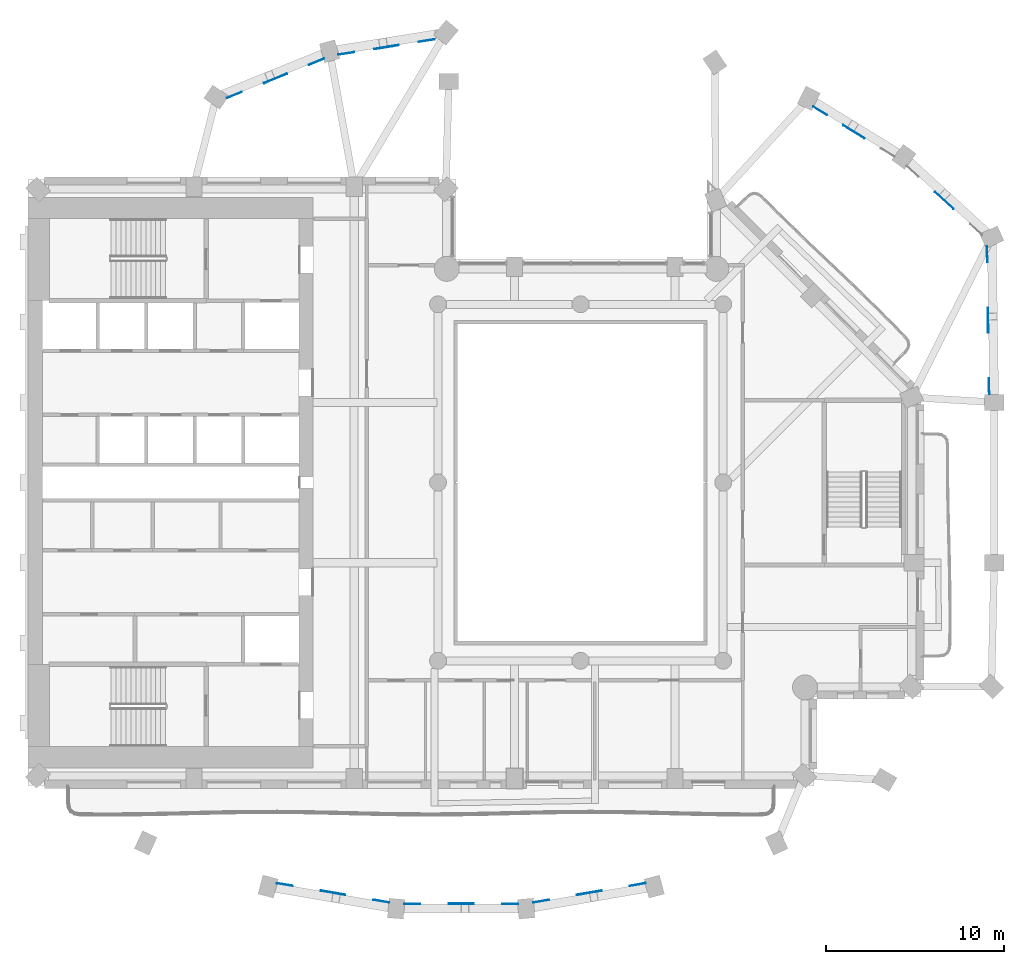
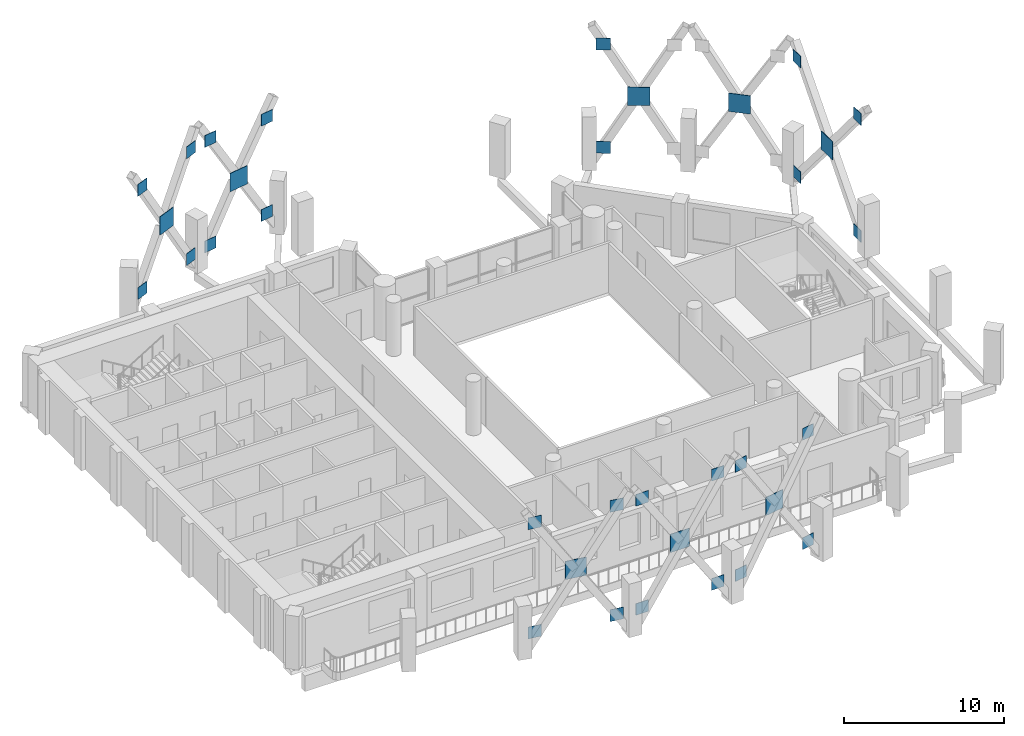
# One storey, part 7 of 15: 34 discrete accessories.
"""IFC4 building model written with IfcOpenShell, lengths in metres."""

from ifc_helpers import new_model, si_unit, direction, frame, origin, origin_2d, place, context, subcontext, project, spatial, rectangle, extrude, material, material_profile, profile_set, type_object, element, save


model = new_model("IFC4")

# Units and contexts
model_context = context("Model", 3, precision=1e-05, world=origin(), true_north=direction((0.0, 1.0)))
body_context = subcontext(model_context, "Body", "Model", "MODEL_VIEW")
ifc_project = project(units=[si_unit("LENGTHUNIT", "METRE"), si_unit("AREAUNIT", "SQUARE_METRE"), si_unit("VOLUMEUNIT", "CUBIC_METRE"), si_unit("PLANEANGLEUNIT", "RADIAN"), si_unit("MASSUNIT", "GRAM", prefix="KILO")], contexts=[model_context])

# Site, building, storey
site_placement = place(None, origin())
site = spatial("IfcSite", under=ifc_project, at=site_placement, CompositionType="ELEMENT")
building_placement = place(site_placement, origin())
building = spatial("IfcBuilding", under=site, at=building_placement, Name="Cypress Arch Tower", CompositionType="ELEMENT")
storey_placement = place(building_placement, frame((0.0, 0.0, 193.300048828125)))
storey = spatial("IfcBuildingStorey", under=building, at=storey_placement, Name="L42", CompositionType="ELEMENT", Elevation=193.300048828125)

# Discrete accessories
ifc_material_1 = material(Name="Steel ASTM A992", Category="steel")
ifc_material_profile_1 = material_profile(ifc_material_1, rectangle(XDim=0.89990234375, YDim=0.89990234375, at=origin_2d()), Name="PL 30 900x900")
ifc_profile_set_1 = profile_set([ifc_material_profile_1], Name="Steel ASTM A992")
discrete_accessory_type_1 = type_object("IfcDiscreteAccessoryType", Name="Gusset plate 900x900x30 Steel ASTM A992", PredefinedType="ANCHORPLATE", material=ifc_profile_set_1)
discrete_accessory_1_placement = place(storey_placement, frame((-7.630859375, 24.806396484375, 1.907470703125), z_axis=(0.15512400912, -0.987895005451, 0.0), x_axis=(0.987895005451, 0.15512400912, 0.0)))
element("IfcDiscreteAccessory", 1, at=discrete_accessory_1_placement, inside=storey, type_object=discrete_accessory_type_1, Name="Gusset plate L42 CQ02-CQ03u0", PredefinedType="ANCHORPLATE", context=body_context, shape_type="SweptSolid", body=[
    extrude(rectangle(XDim=0.89990234375, YDim=0.89990234375, at=origin_2d()), origin(), (0.0, 0.0, 1.0), 0.02978515625),
])
discrete_accessory_2_placement = place(storey_placement, frame((-12.149658203125, 24.0849609375, 9.585205078125), z_axis=(0.153882731479, -0.98808911792, 0.0), x_axis=(0.98808911792, 0.153882731479, 0.0)))
element("IfcDiscreteAccessory", 2, at=discrete_accessory_2_placement, inside=storey, type_object=discrete_accessory_type_1, Name="Gusset plate L42 CQ02-CQ03u1", PredefinedType="ANCHORPLATE", context=body_context, shape_type="SweptSolid", body=[
    extrude(rectangle(XDim=0.89990234375, YDim=0.89990234375, at=origin_2d()), origin(), (0.0, 0.0, 1.0), 0.030029296875),
])
discrete_accessory_3_placement = place(storey_placement, frame((-7.630859375, 24.806396484375, 9.1923828125), z_axis=(0.15512400912, -0.987895005451, 0.0), x_axis=(0.987895005451, 0.15512400912, 0.0)))
element("IfcDiscreteAccessory", 3, at=discrete_accessory_3_placement, inside=storey, type_object=discrete_accessory_type_1, Name="Gusset plate L42 CQ02-CQ03d0", PredefinedType="ANCHORPLATE", context=body_context, shape_type="SweptSolid", body=[
    extrude(rectangle(XDim=0.89990234375, YDim=0.89990234375, at=origin_2d()), origin(), (0.0, 0.0, 1.0), 0.02978515625),
])
for number, where, z_axis, x_axis, name in (
    (4, (-12.149658203125, 24.0849609375, 1.514892578125), (0.153882731479, -0.98808911792, 0.0), (0.98808911792, 0.153882731479, 0.0), "Gusset plate L42 CQ02-CQ03d1"),
    (5, (-13.822998046875, 23.618896484375, 1.46044921875), (0.381157654408, -0.924510055373, 0.0), (0.924510055373, 0.381157654408, 0.0), "Gusset plate L42 CQ03-CQ04u0"),
    (6, (-18.429443359375, 21.7529296875, 9.499267578125), (0.374194034192, -0.927350432563, 0.0), (0.927350432563, 0.374194034192, 0.0), "Gusset plate L42 CQ03-CQ04u1"),
    (7, (-13.822998046875, 23.618896484375, 9.639404296875), (0.381157654408, -0.924510055373, 0.0), (0.924510055373, 0.381157654408, 0.0), "Gusset plate L42 CQ03-CQ04d0"),
    (8, (-18.429443359375, 21.7529296875, 1.6005859375), (0.374194034192, -0.927350432563, 0.0), (0.927350432563, 0.374194034192, 0.0), "Gusset plate L42 CQ03-CQ04d1"),
    (9, (-15.59716796875, -22.56884765625, 1.37255859375), (0.163076596924, 0.986613411391, 0.0), (-0.986613411391, 0.163076596924, 0.0), "Gusset plate L42 CQ06-CQ07u0"),
    (10, (-10.188232421875, -23.500244140625, 9.7275390625), (0.170997525788, 0.985271458114, 0.0), (-0.985271458114, 0.170997525788, 0.0), "Gusset plate L42 CQ06-CQ07u1"),
    (11, (-15.59716796875, -22.56884765625, 9.7275390625), (0.163076596924, 0.986613411391, 0.0), (-0.986613411391, 0.163076596924, 0.0), "Gusset plate L42 CQ06-CQ07d0"),
    (12, (-10.188232421875, -23.500244140625, 1.37255859375), (0.170997525788, 0.985271458114, 0.0), (-0.985271458114, 0.170997525788, 0.0), "Gusset plate L42 CQ06-CQ07d1"),
    (13, (-8.441162109375, -23.649658203125, 1.373779296875), (0.0, 1.0, 0.0), (-1.0, 0.0, 0.0), "Gusset plate L42 CQ07-CQ08u0"),
    (14, (-2.958984375, -23.649658203125, 9.726318359375), (0.0, 1.0, 0.0), (-1.0, 0.0, 0.0), "Gusset plate L42 CQ07-CQ08u1"),
    (15, (-8.441162109375, -23.649658203125, 9.726318359375), (0.0, 1.0, 0.0), (-1.0, 0.0, 0.0), "Gusset plate L42 CQ07-CQ08d0"),
    (16, (-2.958984375, -23.649658203125, 1.373779296875), (0.0, 1.0, 0.0), (-1.0, 0.0, 0.0), "Gusset plate L42 CQ07-CQ08d1"),
    (17, (-1.2119140625, -23.500244140625, 1.37255859375), (-0.170997525788, 0.985271458114, 0.0), (-0.985271458114, -0.170997525788, 0.0), "Gusset plate L42 CQ08-CQ09u0"),
    (18, (4.197265625, -22.56884765625, 9.7275390625), (-0.170997525788, 0.985271458114, 0.0), (-0.985271458114, -0.170997525788, 0.0), "Gusset plate L42 CQ08-CQ09u1"),
    (19, (-1.2119140625, -23.500244140625, 9.7275390625), (-0.170997525788, 0.985271458114, 0.0), (-0.985271458114, -0.170997525788, 0.0), "Gusset plate L42 CQ08-CQ09d0"),
    (20, (4.197265625, -22.56884765625, 1.37255859375), (-0.170997525788, 0.985271458114, 0.0), (-0.985271458114, -0.170997525788, 0.0), "Gusset plate L42 CQ08-CQ09d1"),
    (21, (23.932861328125, 5.396240234375, 1.078857421875), (-0.999867829764, -0.016258013492, 0.0), (0.016258013492, -0.999867829764, 0.0), "Gusset plate L42 CQ14-CQ15u0"),
    (22, (23.82373046875, 12.8154296875, 9.97314453125), (-0.999867829764, -0.016258013492, 0.0), (0.016258013492, -0.999867829764, 0.0), "Gusset plate L42 CQ14-CQ15u1"),
    (23, (23.932861328125, 5.396240234375, 10.02099609375), (-0.999867829764, -0.016258013492, 0.0), (0.016258013492, -0.999867829764, 0.0), "Gusset plate L42 CQ14-CQ15d0"),
    (24, (23.82373046875, 12.8154296875, 1.126953125), (-0.999867829764, -0.016258013492, 0.0), (0.016258013492, -0.999867829764, 0.0), "Gusset plate L42 CQ14-CQ15d1"),
):
    element("IfcDiscreteAccessory", number, at=place(storey_placement, frame(where, z_axis=z_axis, x_axis=x_axis)), inside=storey, type_object=discrete_accessory_type_1, Name=name, PredefinedType="ANCHORPLATE", context=body_context, shape_type="SweptSolid", body=[
        extrude(rectangle(XDim=0.89990234375, YDim=0.89990234375, at=origin_2d()), origin(), (0.0, 0.0, 1.0), 0.030029296875),
    ])
for number, where, z_axis, x_axis, name in (
    (25, (14.43798828125, 20.8603515625, 9.502197265625), (-0.524097425664, -0.851658316705, 0.0), (0.851658316705, -0.524097425664, 0.0), "Gusset plate L42 CQ16-CQ17u1"),
    (26, (14.43798828125, 20.8603515625, 1.59765625), (-0.524097425664, -0.851658316705, 0.0), (0.851658316705, -0.524097425664, 0.0), "Gusset plate L42 CQ16-CQ17d1"),
):
    element("IfcDiscreteAccessory", number, at=place(storey_placement, frame(where, z_axis=z_axis, x_axis=x_axis)), inside=storey, type_object=discrete_accessory_type_1, Name=name, PredefinedType="ANCHORPLATE", context=body_context, shape_type="SweptSolid", body=[
        extrude(rectangle(XDim=0.89990234375, YDim=0.89990234375, at=origin_2d()), origin(), (0.0, 0.0, 1.0), 0.02978515625),
    ])
ifc_material_2 = material(Name="Steel ASTM A992", Category="steel")
ifc_material_profile_2 = material_profile(ifc_material_2, rectangle(XDim=1.39990234375, YDim=1.39990234375, at=origin_2d()), Name="PL 40 1400x1400")
ifc_profile_set_2 = profile_set([ifc_material_profile_2], Name="Steel ASTM A992")
discrete_accessory_type_2 = type_object("IfcDiscreteAccessoryType", Name="Node plate 1400x1400x40 Steel ASTM A992", PredefinedType="ANCHORPLATE", material=ifc_profile_set_2)
discrete_accessory_4_placement = place(storey_placement, frame((-9.890380859375, 24.445556640625, 5.550048828125), z_axis=(0.159425218663, -0.987210007878, 0.0), x_axis=(0.987210007878, 0.159425218663, 0.0)))
element("IfcDiscreteAccessory", 27, at=discrete_accessory_4_placement, inside=storey, type_object=discrete_accessory_type_2, Name="Node plate L42 CQ02-CQ03", PredefinedType="ANCHORPLATE", context=body_context, shape_type="SweptSolid", body=[
    extrude(rectangle(XDim=1.39990234375, YDim=1.39990234375, at=origin_2d()), origin(), (0.0, 0.0, 1.0), 0.039794921875),
])
for number, where, z_axis, x_axis, name in (
    (28, (-16.126220703125, 22.68603515625, 5.550048828125), (0.377683854905, -0.925934612024, 0.0), (0.925934612024, 0.377683854905, 0.0), "Node plate L42 CQ03-CQ04"),
    (29, (-12.892822265625, -23.03466796875, 5.550048828125), (0.170314285219, 0.985389793052, 0.0), (-0.985389793052, 0.170314285219, 0.0), "Node plate L42 CQ06-CQ07"),
    (30, (-5.699951171875, -23.649658203125, 5.550048828125), (0.0, 1.0, 0.0), (-1.0, 0.0, 0.0), "Node plate L42 CQ07-CQ08"),
    (31, (1.49267578125, -23.03466796875, 5.550048828125), (-0.170314285219, 0.985389793052, 0.0), (-0.985389793052, -0.170314285219, 0.0), "Node plate L42 CQ08-CQ09"),
):
    element("IfcDiscreteAccessory", number, at=place(storey_placement, frame(where, z_axis=z_axis, x_axis=x_axis)), inside=storey, type_object=discrete_accessory_type_2, Name=name, PredefinedType="ANCHORPLATE", context=body_context, shape_type="SweptSolid", body=[
        extrude(rectangle(XDim=1.39990234375, YDim=1.39990234375, at=origin_2d()), origin(), (0.0, 0.0, 1.0), 0.0400390625),
    ])
discrete_accessory_5_placement = place(storey_placement, frame((23.878173828125, 9.105712890625, 5.550048828125), z_axis=(-0.999924732801, -0.012269015126, 0.0), x_axis=(0.012269015126, -0.999924732801, 0.0)))
element("IfcDiscreteAccessory", 32, at=discrete_accessory_5_placement, inside=storey, type_object=discrete_accessory_type_2, Name="Node plate L42 CQ14-CQ15", PredefinedType="ANCHORPLATE", context=body_context, shape_type="SweptSolid", body=[
    extrude(rectangle(XDim=1.39990234375, YDim=1.39990234375, at=origin_2d()), origin(), (0.0, 0.0, 1.0), 0.039794921875),
])
for number, where, z_axis, x_axis, name in (
    (33, (21.415771484375, 15.8388671875, 5.550048828125), (-0.676000359041, -0.736901292288, 0.0), (0.736901292288, -0.676000359041, 0.0), "Node plate L42 CQ15-CQ16"),
    (34, (16.337646484375, 19.692138671875, 5.550048828125), (-0.523418105875, -0.852075986308, 0.0), (0.852075986308, -0.523418105875, 0.0), "Node plate L42 CQ16-CQ17"),
):
    element("IfcDiscreteAccessory", number, at=place(storey_placement, frame(where, z_axis=z_axis, x_axis=x_axis)), inside=storey, type_object=discrete_accessory_type_2, Name=name, PredefinedType="ANCHORPLATE", context=body_context, shape_type="SweptSolid", body=[
        extrude(rectangle(XDim=1.39990234375, YDim=1.39990234375, at=origin_2d()), origin(), (0.0, 0.0, 1.0), 0.0400390625),
    ])

save(model, "model.ifc")
